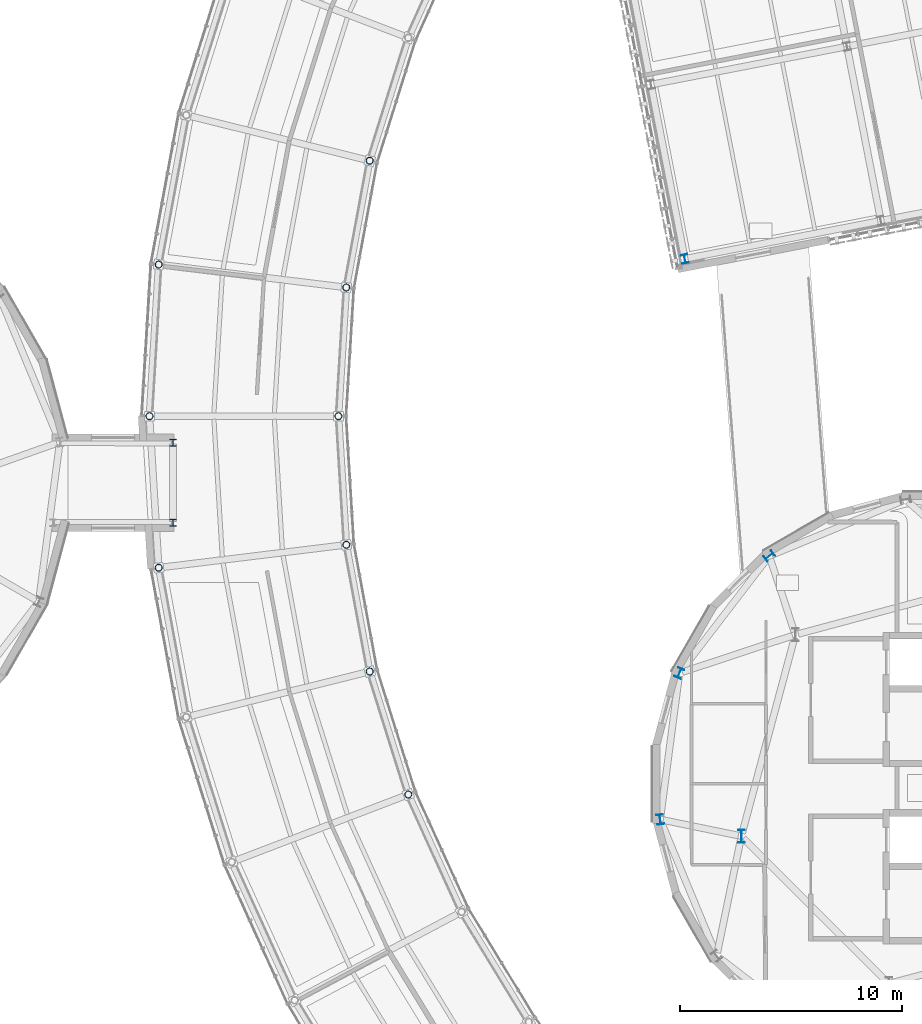
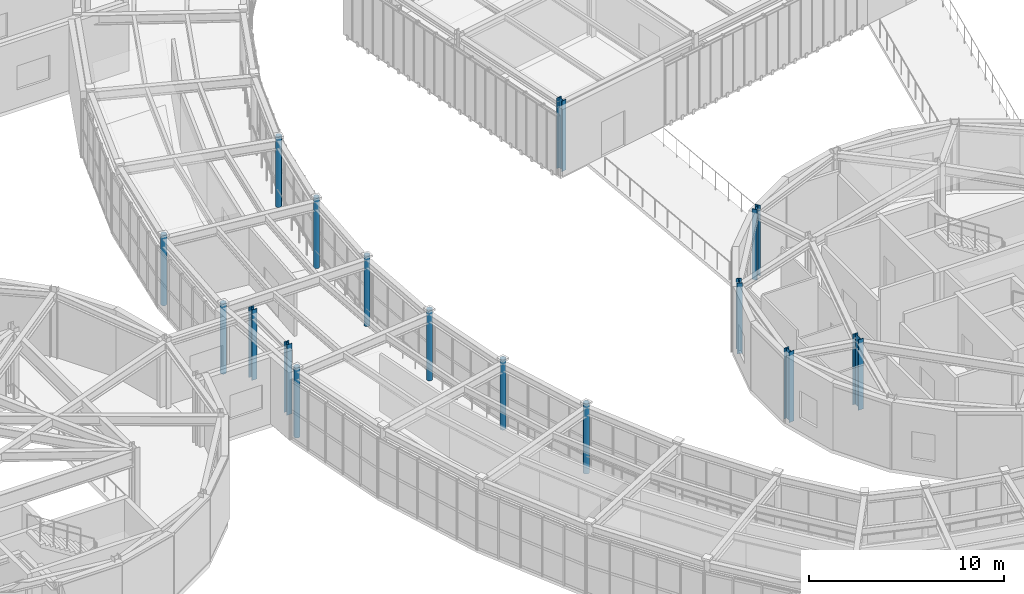
# One storey, part 4 of 103: 16 columns.
"""IFC4 building model written with IfcOpenShell, lengths in metres."""

from ifc_helpers import new_model, si_unit, direction, frame, origin, origin_2d, place, context, subcontext, project, spatial, hollow_circle, i_section, extrude, material, material_profile, profile_set, type_object, element, save


model = new_model("IFC4")

# Units and contexts
model_context = context("Model", 3, precision=1e-05, world=origin(), true_north=direction((0.0, 1.0)))
body_context = subcontext(model_context, "Body", "Model", "MODEL_VIEW")
ifc_project = project(units=[si_unit("LENGTHUNIT", "METRE"), si_unit("AREAUNIT", "SQUARE_METRE"), si_unit("VOLUMEUNIT", "CUBIC_METRE"), si_unit("PLANEANGLEUNIT", "RADIAN"), si_unit("MASSUNIT", "GRAM", prefix="KILO")], contexts=[model_context])

# Site, building, storey
site_placement = place(None, origin())
site = spatial("IfcSite", under=ifc_project, at=site_placement, CompositionType="ELEMENT")
building_placement = place(site_placement, origin())
building = spatial("IfcBuilding", under=site, at=building_placement, Name="Varnklinge Art Gallery", CompositionType="ELEMENT")
storey_placement = place(building_placement, frame((0.0, 0.0, 5.10009765625)))
storey = spatial("IfcBuildingStorey", under=building, at=storey_placement, Name="L01", CompositionType="ELEMENT", Elevation=5.10009765625)

# Columns
ifc_material_1 = material(Name="Steel S355", Category="steel")
ifc_material_profile_1 = material_profile(ifc_material_1, i_section(OverallWidth=0.300048828125, OverallDepth=0.60009765625, WebThickness=0.015380859375, FlangeThickness=0.030029296875, FilletRadius=0.027099609375, at=origin_2d()), Name="HEB 600")
ifc_profile_set_1 = profile_set([ifc_material_profile_1], Name="Steel S355")
column_type_1 = type_object("IfcColumnType", Name="COL-04", PredefinedType="COLUMN", material=ifc_profile_set_1)
column_1_placement = place(storey_placement, frame((66.42041015625, 36.067138671875, 0.0), z_axis=(0.0, 0.0, 1.0), x_axis=(1.0, 0.0, 0.0)))
element("IfcColumn", 1, at=column_1_placement, inside=storey, type_object=column_type_1, Name="L01 Column V4CI-4", PredefinedType="COLUMN", context=body_context, shape_type="SweptSolid", body=[
    extrude(i_section(OverallWidth=0.300048828125, OverallDepth=0.60009765625, WebThickness=0.015380859375, FlangeThickness=0.030029296875, FilletRadius=0.027099609375, at=origin_2d()), origin(), (0.0, 0.0, 1.0), 4.419921875),
])
ifc_material_2 = material(Name="Steel S355", Category="steel")
ifc_material_profile_2 = material_profile(ifc_material_2, i_section(OverallWidth=0.300048828125, OverallDepth=0.320068359375, WebThickness=0.011474609375, FlangeThickness=0.0205078125, FilletRadius=0.027099609375, at=origin_2d()), Name="HEB 320")
ifc_profile_set_2 = profile_set([ifc_material_profile_2], Name="Steel S355")
column_type_2 = type_object("IfcColumnType", Name="COL-09", PredefinedType="COLUMN", material=ifc_profile_set_2)
for number, where, z_axis, x_axis, name in (
    (2, (40.800048828125, 50.199951171875, 0.0), (0.0, 0.0, 1.0), (1.0, 0.0, 0.0), "L01 Column LNK-V3-C2"),
    (3, (40.800048828125, 53.800048828125, 0.0), (0.0, 0.0, 1.0), (1.0, 0.0, 0.0), "L01 Column LNK-V3-C3"),
):
    element("IfcColumn", number, at=place(storey_placement, frame(where, z_axis=z_axis, x_axis=x_axis)), inside=storey, type_object=column_type_2, Name=name, PredefinedType="COLUMN", context=body_context, shape_type="SweptSolid", body=[
        extrude(i_section(OverallWidth=0.300048828125, OverallDepth=0.320068359375, WebThickness=0.011474609375, FlangeThickness=0.0205078125, FilletRadius=0.027099609375, at=origin_2d()), origin(), (0.0, 0.0, 1.0), 4.419921875),
    ])
ifc_material_3 = material(Name="Steel S355", Category="steel")
ifc_material_profile_3 = material_profile(ifc_material_3, i_section(OverallWidth=0.300048828125, OverallDepth=0.449951171875, WebThickness=0.013916015625, FlangeThickness=0.02587890625, FilletRadius=0.027099609375, at=origin_2d()), Name="HEB 450")
ifc_profile_set_3 = profile_set([ifc_material_profile_3], Name="Steel S355")
column_type_3 = type_object("IfcColumnType", Name="COL-E2", PredefinedType="COLUMN", material=ifc_profile_set_3)
for number, where, z_axis, x_axis, name in (
    (4, (67.677490234375, 48.694580078125, 0.0), (0.0, 0.0, 1.0), (-0.608761429009, 0.793353340291, 0.0), "L01 Column V4CP-05"),
    (5, (63.628173828125, 43.41748046875, 0.0), (0.0, 0.0, 1.0), (-0.923879532511, 0.382683432365, 0.0), "L01 Column V4CP-06"),
    (6, (62.760009765625, 36.82275390625, 0.0), (0.0, 0.0, 1.0), (-0.991444861374, -0.13052619222, 0.0), "L01 Column V4CP-07"),
):
    element("IfcColumn", number, at=place(storey_placement, frame(where, z_axis=z_axis, x_axis=x_axis)), inside=storey, type_object=column_type_3, Name=name, PredefinedType="COLUMN", context=body_context, shape_type="SweptSolid", body=[
        extrude(i_section(OverallWidth=0.300048828125, OverallDepth=0.449951171875, WebThickness=0.013916015625, FlangeThickness=0.02587890625, FilletRadius=0.027099609375, at=origin_2d()), origin(), (0.0, 0.0, 1.0), 4.419921875),
    ])
ifc_material_4 = material(Name="Steel S355", Category="steel")
ifc_material_profile_4 = material_profile(ifc_material_4, i_section(OverallWidth=0.300048828125, OverallDepth=0.39990234375, WebThickness=0.013427734375, FlangeThickness=0.02392578125, FilletRadius=0.027099609375, at=origin_2d()), Name="HEB 400")
ifc_profile_set_4 = profile_set([ifc_material_profile_4], Name="Steel S355")
column_type_4 = type_object("IfcColumnType", Name="COL-E3", PredefinedType="COLUMN", material=ifc_profile_set_4)
column_2_placement = place(storey_placement, frame((63.872802734375, 62.090087890625, 0.0), z_axis=(0.0, 0.0, 1.0), x_axis=(0.981627183448, 0.190808995377, 0.0)))
element("IfcColumn", 7, at=column_2_placement, inside=storey, type_object=column_type_4, Name="L01 Column V4BC-1-1", PredefinedType="COLUMN", context=body_context, shape_type="SweptSolid", body=[
    extrude(i_section(OverallWidth=0.300048828125, OverallDepth=0.39990234375, WebThickness=0.013427734375, FlangeThickness=0.02392578125, FilletRadius=0.027099609375, at=origin_2d()), origin(), (0.0, 0.0, 1.0), 4.419921875),
])
ifc_material_5 = material(Name="Steel S355", Category="steel")
ifc_material_profile_5 = material_profile(ifc_material_5, hollow_circle(Radius=0.161865234375, WallThickness=0.01611328125, at=origin_2d()), Name="CHS 323.9x16")
ifc_profile_set_5 = profile_set([ifc_material_profile_5], Name="Steel S355")
column_type_5 = type_object("IfcColumnType", Name="COL-E6", PredefinedType="COLUMN", material=ifc_profile_set_5)
for number, where, z_axis, x_axis, name in (
    (8, (49.667236328125, 66.511962890625, 0.0), (0.0, 0.0, 1.0), (0.970506473469, -0.241075060833, 0.0), "L01 Column V2CI-25"),
    (9, (40.157958984375, 61.83349609375, 0.0), (0.0, 0.0, 1.0), (0.992588631597, -0.121522872021, 0.0), "L01 Column V2CO-26"),
    (10, (48.612060546875, 60.798828125, 0.0), (0.0, 0.0, 1.0), (0.992588631597, -0.121522872021, 0.0), "L01 Column V2CI-26"),
    (11, (39.741455078125, 55.0, 0.0), (0.0, 0.0, 1.0), (1.0, 0.0, 0.0), "L01 Column V2CO-27"),
    (12, (48.258544921875, 55.0, 0.0), (0.0, 0.0, 1.0), (1.0, 0.0, 0.0), "L01 Column V2CI-27"),
    (13, (40.157958984375, 48.16650390625, 0.0), (0.0, 0.0, 1.0), (0.992588631597, 0.121522872021, 0.0), "L01 Column V2CO-28"),
    (14, (48.612060546875, 49.201171875, 0.0), (0.0, 0.0, 1.0), (0.992588631597, 0.121522872021, 0.0), "L01 Column V2CI-28"),
    (15, (49.667236328125, 43.488037109375, 0.0), (0.0, 0.0, 1.0), (0.970506473469, 0.241075060833, 0.0), "L01 Column V2CI-29"),
    (16, (51.40869140625, 37.9453125, 0.0), (0.0, 0.0, 1.0), (0.934017558691, 0.357227098715, 0.0), "L01 Column V2CI-30"),
):
    element("IfcColumn", number, at=place(storey_placement, frame(where, z_axis=z_axis, x_axis=x_axis)), inside=storey, type_object=column_type_5, Name=name, PredefinedType="COLUMN", context=body_context, shape_type="SweptSolid", body=[
        extrude(hollow_circle(Radius=0.161865234375, WallThickness=0.01611328125, at=origin_2d()), origin(), (0.0, 0.0, 1.0), 4.419921875),
    ])

save(model, "model.ifc")
